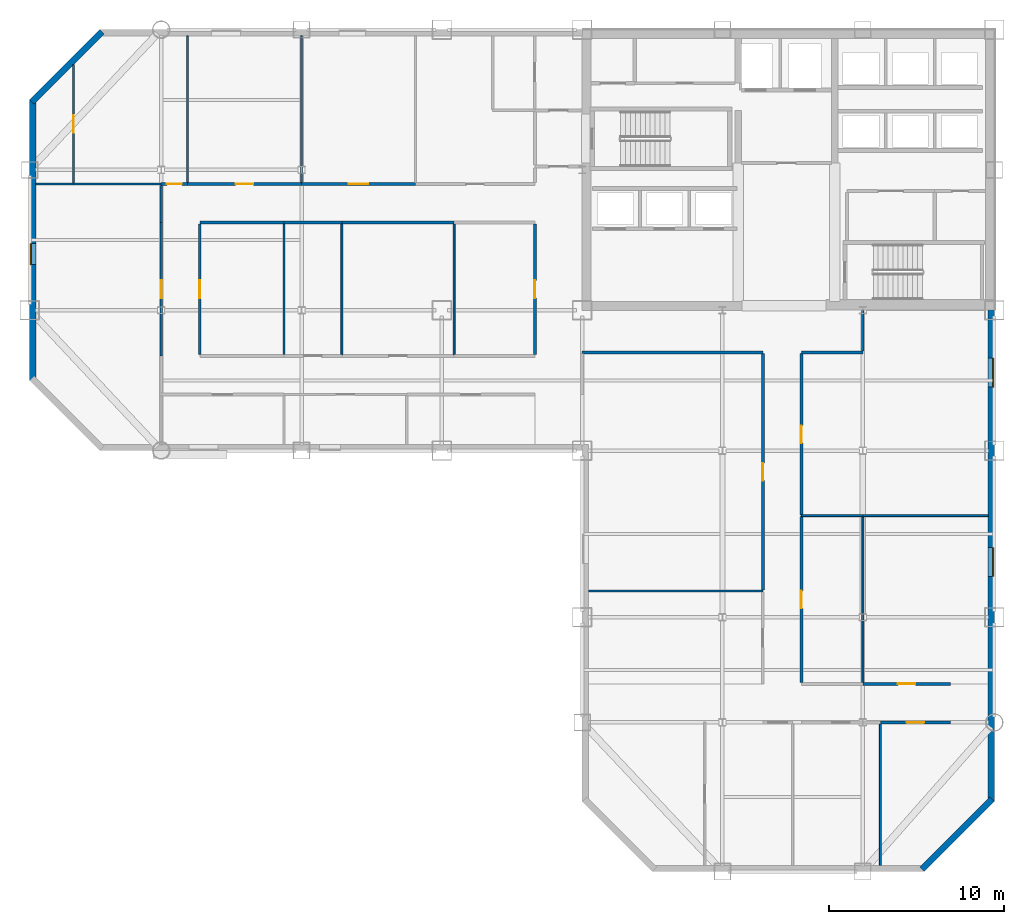
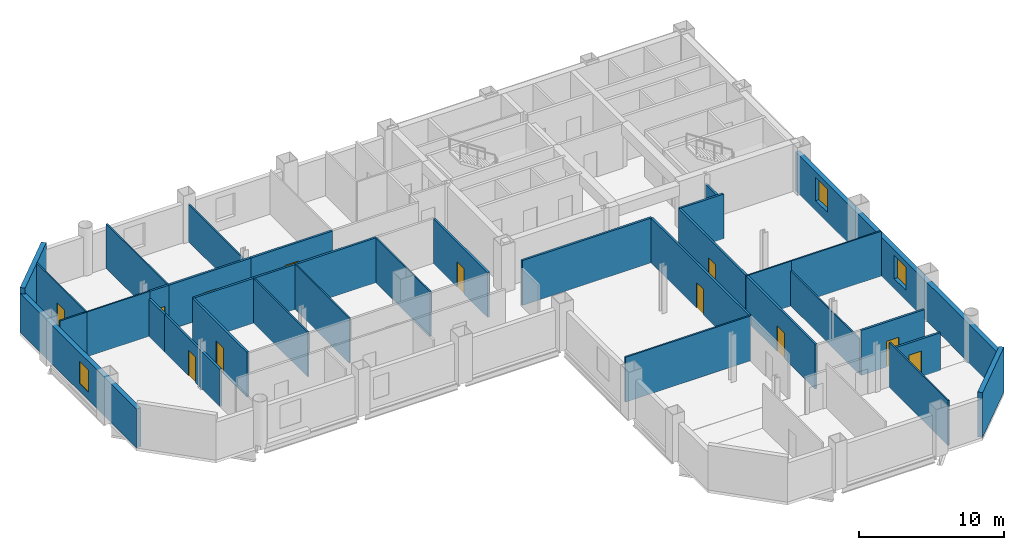
# One storey, part 6 of 10: 35 walls, 12 doors, 3 windows, 15 openings.
"""IFC4 building model written with IfcOpenShell, lengths in metres."""

from ifc_helpers import new_model, si_unit, direction, frame, frame_2d, origin, place, context, subcontext, project, spatial, rectangle, extrude, material, layer, layer_set, type_object, element, fill, save


model = new_model("IFC4")

# Units and contexts
model_context = context("Model", 3, precision=1e-05, world=origin(), true_north=direction((0.0, 1.0)))
body_context = subcontext(model_context, "Body", "Model", "MODEL_VIEW")
ifc_project = project(units=[si_unit("LENGTHUNIT", "METRE"), si_unit("AREAUNIT", "SQUARE_METRE"), si_unit("VOLUMEUNIT", "CUBIC_METRE"), si_unit("PLANEANGLEUNIT", "RADIAN"), si_unit("MASSUNIT", "GRAM", prefix="KILO")], contexts=[model_context])

# Site, building, storey
site_placement = place(None, origin())
site = spatial("IfcSite", under=ifc_project, at=site_placement, CompositionType="ELEMENT")
building_placement = place(site_placement, origin())
building = spatial("IfcBuilding", under=site, at=building_placement, Name="Qianrong Seaharbour Tower", CompositionType="ELEMENT")
storey_placement = place(building_placement, frame((0.0, 0.0, 179.0)))
storey = spatial("IfcBuildingStorey", under=building, at=storey_placement, Name="L43", CompositionType="ELEMENT", Elevation=179.0)

# Wall, opening, door
ifc_material_1 = material(Name="Fire-rated acoustic gypsum board partition")
ifc_layer_1 = layer(ifc_material_1, 0.1650390625)
ifc_layer_set_1 = layer_set([ifc_layer_1], Name="Fire-rated acoustic gypsum board partition")
wall_type_1 = type_object("IfcWallType", Name="WALL-CORR-PART-165", PredefinedType="PARTITIONING", material=ifc_layer_set_1)
wall_1_placement = place(storey_placement, frame((16.5, 43.199951171875, 0.0), z_axis=(0.0, 0.0, 1.0), x_axis=(1.0, 0.0, 0.0)))
wall_1 = element("IfcWall", 1, at=wall_1_placement, inside=storey, type_object=wall_type_1, Name="L43 Interior Partition Wall 023", PredefinedType="PARTITIONING", context=body_context, shape_type="SweptSolid", body=[
    extrude(rectangle(XDim=1.5, YDim=0.1650390625, at=frame_2d((0.75, 0.0))), origin(), (0.0, 0.0, 1.0), 3.764892578125),
])
opening_1_placement = place(wall_1_placement, frame((0.320068359375, 0.0, 0.0)))
opening_1 = element("IfcOpeningElement", 2, at=opening_1_placement, cuts=wall_1, Name="Opening DU-01", PredefinedType="OPENING", context=body_context, shape_type="SweptSolid", body=[
    extrude(rectangle(XDim=0.860107421875, YDim=2.10009765625, at=frame_2d((0.43017578125, 1.050048828125))), frame((0.0, 0.092529296875, 0.0), z_axis=(0.0, -1.0, 0.0), x_axis=(1.0, 0.0, 0.0)), (0.0, 0.0, 1.0), 0.18505859375),
])
ifc_material_2 = material(Name="Acoustic timber and galvanized steel fire door assembly", Category="steel")
door_type_1 = type_object("IfcDoorType", Name="DOOR-UTIL-860x2100", OperationType="NOTDEFINED", PredefinedType="DOOR", material=ifc_material_2)
door_1_placement = place(opening_1_placement, origin())
door_1 = element("IfcDoor", 3, at=door_1_placement, inside=storey, type_object=door_type_1, Name="L43 Navigation Systems Showroom 2 Door", OperationType="SINGLE_SWING_LEFT", OverallHeight=2.10009765625, OverallWidth=0.860107421875, PredefinedType="DOOR", context=body_context, shape_type="SweptSolid", body=[
    extrude(rectangle(XDim=0.860107421875, YDim=2.10009765625, at=frame_2d((0.43017578125, 1.050048828125))), frame((0.0, 0.02490234375, 0.0), z_axis=(0.0, -1.0, 0.0), x_axis=(1.0, 0.0, 0.0)), (0.0, 0.0, 1.0), 0.050048828125),
])
fill(opening_1, door_1)

wall_2_placement = place(storey_placement, frame((18.0, 43.199951171875, 0.0), z_axis=(0.0, 0.0, 1.0), x_axis=(1.0, 0.0, 0.0)))
wall_2 = element("IfcWall", 4, at=wall_2_placement, inside=storey, type_object=wall_type_1, Name="L43 Interior Partition Wall 024", PredefinedType="PARTITIONING", context=body_context, shape_type="SweptSolid", body=[
    extrude(rectangle(XDim=6.5, YDim=0.1650390625, at=frame_2d((3.25, 0.0))), origin(), (0.0, 0.0, 1.0), 3.764892578125),
])
opening_2_placement = place(wall_2_placement, frame((2.75, 0.0, 0.0)))
opening_2 = element("IfcOpeningElement", 5, at=opening_2_placement, cuts=wall_2, Name="Opening DO-01", PredefinedType="OPENING", context=body_context, shape_type="SweptSolid", body=[
    extrude(rectangle(XDim=1.0, YDim=2.14990234375, at=frame_2d((0.5, 1.074951171875))), frame((0.0, 0.092529296875, 0.0), z_axis=(0.0, -1.0, 0.0), x_axis=(1.0, 0.0, 0.0)), (0.0, 0.0, 1.0), 0.18505859375),
])
door_type_2 = type_object("IfcDoorType", Name="DOOR-OFFICE-1000x2150", OperationType="NOTDEFINED", PredefinedType="DOOR", material=ifc_material_2)
door_2_placement = place(opening_2_placement, origin())
door_2 = element("IfcDoor", 6, at=door_2_placement, inside=storey, type_object=door_type_2, Name="L43 Marine Propulsion Showroom 3 Door", OperationType="SINGLE_SWING_RIGHT", OverallHeight=2.14990234375, OverallWidth=1.0, PredefinedType="DOOR", context=body_context, shape_type="SweptSolid", body=[
    extrude(rectangle(XDim=1.0, YDim=2.14990234375, at=frame_2d((0.5, 1.074951171875))), frame((0.0, 0.02490234375, 0.0), z_axis=(0.0, -1.0, 0.0), x_axis=(1.0, 0.0, 0.0)), (0.0, 0.0, 1.0), 0.050048828125),
])
fill(opening_2, door_2)

wall_3_placement = place(storey_placement, frame((24.5, 43.199951171875, 0.0), z_axis=(0.0, 0.0, 1.0), x_axis=(1.0, 0.0, 0.0)))
wall_3 = element("IfcWall", 7, at=wall_3_placement, inside=storey, type_object=wall_type_1, Name="L43 Interior Partition Wall 025", PredefinedType="PARTITIONING", context=body_context, shape_type="SweptSolid", body=[
    extrude(rectangle(XDim=6.5, YDim=0.1650390625, at=frame_2d((3.25, 0.0))), origin(), (0.0, 0.0, 1.0), 3.764892578125),
])
opening_3_placement = place(wall_3_placement, frame((2.699951171875, 0.0, 0.0)))
opening_3 = element("IfcOpeningElement", 8, at=opening_3_placement, cuts=wall_3, Name="Opening DM-01", PredefinedType="OPENING", context=body_context, shape_type="SweptSolid", body=[
    extrude(rectangle(XDim=1.10009765625, YDim=2.199951171875, at=frame_2d((0.550048828125, 1.10009765625))), frame((0.0, 0.092529296875, 0.0), z_axis=(0.0, -1.0, 0.0), x_axis=(1.0, 0.0, 0.0)), (0.0, 0.0, 1.0), 0.18505859375),
])
door_type_3 = type_object("IfcDoorType", Name="DOOR-MEET-1100x2200", OperationType="NOTDEFINED", PredefinedType="DOOR", material=ifc_material_2)
door_3_placement = place(opening_3_placement, origin())
door_3 = element("IfcDoor", 9, at=door_3_placement, inside=storey, type_object=door_type_3, Name="L43 Contract Meeting Room 4 Door", OperationType="SINGLE_SWING_LEFT", OverallHeight=2.199951171875, OverallWidth=1.10009765625, PredefinedType="DOOR", context=body_context, shape_type="SweptSolid", body=[
    extrude(rectangle(XDim=1.10009765625, YDim=2.199951171875, at=frame_2d((0.550048828125, 1.10009765625))), frame((0.0, 0.02490234375, 0.0), z_axis=(0.0, -1.0, 0.0), x_axis=(1.0, 0.0, 0.0)), (0.0, 0.0, 1.0), 0.050048828125),
])
fill(opening_3, door_3)

# Walls
wall_4_placement = place(storey_placement, frame((23.5, 41.0, 0.0), z_axis=(0.0, 0.0, 1.0), x_axis=(-1.0, 0.0, 0.0)))
element("IfcWall", 10, at=wall_4_placement, inside=storey, type_object=wall_type_1, Name="L43 Interior Partition Wall 027", PredefinedType="PARTITIONING", context=body_context, shape_type="SweptSolid", body=[
    extrude(rectangle(XDim=4.800048828125, YDim=0.1650390625, at=frame_2d((2.39990234375, 0.0))), origin(), (0.0, 0.0, 1.0), 3.764892578125),
])
wall_5_placement = place(storey_placement, frame((26.800048828125, 41.0, 0.0), z_axis=(0.0, 0.0, 1.0), x_axis=(-1.0, 0.0, 0.0)))
element("IfcWall", 11, at=wall_5_placement, inside=storey, type_object=wall_type_1, Name="L43 Interior Partition Wall 028", PredefinedType="PARTITIONING", context=body_context, shape_type="SweptSolid", body=[
    extrude(rectangle(XDim=3.300048828125, YDim=0.1650390625, at=frame_2d((1.64990234375, 0.0))), origin(), (0.0, 0.0, 1.0), 3.764892578125),
])
wall_6_placement = place(storey_placement, frame((33.199951171875, 41.0, 0.0), z_axis=(0.0, 0.0, 1.0), x_axis=(-1.0, 0.0, 0.0)))
element("IfcWall", 12, at=wall_6_placement, inside=storey, type_object=wall_type_1, Name="L43 Interior Partition Wall 029", PredefinedType="PARTITIONING", context=body_context, shape_type="SweptSolid", body=[
    extrude(rectangle(XDim=6.39990234375, YDim=0.1650390625, at=frame_2d((3.199951171875, 0.0))), origin(), (0.0, 0.0, 1.0), 3.764892578125),
])
wall_7_placement = place(storey_placement, frame((16.5, 41.0, 0.0), z_axis=(0.0, 0.0, 1.0), x_axis=(0.0, 1.0, 0.0)))
element("IfcWall", 13, at=wall_7_placement, inside=storey, type_object=wall_type_1, Name="L43 Interior Partition Wall 031", PredefinedType="PARTITIONING", context=body_context, shape_type="SweptSolid", body=[
    extrude(rectangle(XDim=2.12548828125, YDim=0.1650390625, at=frame_2d((1.062744140625, 0.0))), origin(), (0.0, 0.0, 1.0), 3.156982421875),
])

# Wall, opening, door
wall_8_placement = place(storey_placement, frame((18.699951171875, 40.925537109375, 0.0), z_axis=(0.0, 0.0, 1.0), x_axis=(0.0, -1.0, 0.0)))
wall_8 = element("IfcWall", 14, at=wall_8_placement, inside=storey, type_object=wall_type_1, Name="L43 Interior Partition Wall 032", PredefinedType="PARTITIONING", context=body_context, shape_type="SweptSolid", body=[
    extrude(rectangle(XDim=7.450927734375, YDim=0.1650390625, at=frame_2d((3.7255859375, 0.0))), origin(), (0.0, 0.0, 1.0), 3.764892578125),
])
opening_4_placement = place(wall_8_placement, frame((3.2255859375, 0.0, 0.0)))
opening_4 = element("IfcOpeningElement", 15, at=opening_4_placement, cuts=wall_8, Name="Opening DO-01", PredefinedType="OPENING", context=body_context, shape_type="SweptSolid", body=[
    extrude(rectangle(XDim=1.0, YDim=2.14990234375, at=frame_2d((0.5, 1.074951171875))), frame((0.0, 0.092529296875, 0.0), z_axis=(0.0, -1.0, 0.0), x_axis=(1.0, 0.0, 0.0)), (0.0, 0.0, 1.0), 0.18505859375),
])
door_4_placement = place(opening_4_placement, origin())
door_4 = element("IfcDoor", 16, at=door_4_placement, inside=storey, type_object=door_type_2, Name="L43 Maritime Artifact Showroom 1 Door", OperationType="SINGLE_SWING_LEFT", OverallHeight=2.14990234375, OverallWidth=1.0, PredefinedType="DOOR", context=body_context, shape_type="SweptSolid", body=[
    extrude(rectangle(XDim=1.0, YDim=2.14990234375, at=frame_2d((0.5, 1.074951171875))), frame((0.0, 0.02490234375, 0.0), z_axis=(0.0, -1.0, 0.0), x_axis=(1.0, 0.0, 0.0)), (0.0, 0.0, 1.0), 0.050048828125),
])
fill(opening_4, door_4)

wall_9_placement = place(storey_placement, frame((16.5, 33.39990234375, 0.0), z_axis=(0.0, 0.0, 1.0), x_axis=(0.0, 1.0, 0.0)))
wall_9 = element("IfcWall", 17, at=wall_9_placement, inside=storey, type_object=wall_type_1, Name="L43 Interior Partition Wall 033", PredefinedType="PARTITIONING", context=body_context, shape_type="SweptSolid", body=[
    extrude(rectangle(XDim=7.60009765625, YDim=0.1650390625, at=frame_2d((3.800048828125, 0.0))), origin(), (0.0, 0.0, 1.0), 3.156982421875),
])
opening_5_placement = place(wall_9_placement, frame((3.300048828125, 0.0, 0.0)))
opening_5 = element("IfcOpeningElement", 18, at=opening_5_placement, cuts=wall_9, Name="Opening DO-01", PredefinedType="OPENING", context=body_context, shape_type="SweptSolid", body=[
    extrude(rectangle(XDim=1.0, YDim=2.14990234375, at=frame_2d((0.5, 1.074951171875))), frame((0.0, 0.092529296875, 0.0), z_axis=(0.0, -1.0, 0.0), x_axis=(1.0, 0.0, 0.0)), (0.0, 0.0, 1.0), 0.18505859375),
])
door_5_placement = place(opening_5_placement, origin())
door_5 = element("IfcDoor", 19, at=door_5_placement, inside=storey, type_object=door_type_2, Name="L43 Flagship Fleet Exhibition Showroom Door", OperationType="SINGLE_SWING_LEFT", OverallHeight=2.14990234375, OverallWidth=1.0, PredefinedType="DOOR", context=body_context, shape_type="SweptSolid", body=[
    extrude(rectangle(XDim=1.0, YDim=2.14990234375, at=frame_2d((0.5, 1.074951171875))), frame((0.0, 0.02490234375, 0.0), z_axis=(0.0, -1.0, 0.0), x_axis=(1.0, 0.0, 0.0)), (0.0, 0.0, 1.0), 0.050048828125),
])
fill(opening_5, door_5)

wall_10_placement = place(storey_placement, frame((37.800048828125, 33.474609375, 0.0), z_axis=(0.0, 0.0, 1.0), x_axis=(0.0, 1.0, 0.0)))
wall_10 = element("IfcWall", 20, at=wall_10_placement, inside=storey, type_object=wall_type_1, Name="L43 Interior Partition Wall 035", PredefinedType="PARTITIONING", context=body_context, shape_type="SweptSolid", body=[
    extrude(rectangle(XDim=7.450927734375, YDim=0.1650390625, at=frame_2d((3.7255859375, 0.0))), origin(), (0.0, 0.0, 1.0), 3.764892578125),
])
opening_6_placement = place(wall_10_placement, frame((3.2255859375, 0.0, 0.0)))
opening_6 = element("IfcOpeningElement", 21, at=opening_6_placement, cuts=wall_10, Name="Opening DO-01", PredefinedType="OPENING", context=body_context, shape_type="SweptSolid", body=[
    extrude(rectangle(XDim=1.0, YDim=2.14990234375, at=frame_2d((0.5, 1.074951171875))), frame((0.0, 0.092529296875, 0.0), z_axis=(0.0, -1.0, 0.0), x_axis=(1.0, 0.0, 0.0)), (0.0, 0.0, 1.0), 0.18505859375),
])
door_6_placement = place(opening_6_placement, origin())
door_6 = element("IfcDoor", 22, at=door_6_placement, inside=storey, type_object=door_type_2, Name="L43 Maritime Artifact Showroom 4 Door", OperationType="SINGLE_SWING_RIGHT", OverallHeight=2.14990234375, OverallWidth=1.0, PredefinedType="DOOR", context=body_context, shape_type="SweptSolid", body=[
    extrude(rectangle(XDim=1.0, YDim=2.14990234375, at=frame_2d((0.5, 1.074951171875))), frame((0.0, 0.02490234375, 0.0), z_axis=(0.0, -1.0, 0.0), x_axis=(1.0, 0.0, 0.0)), (0.0, 0.0, 1.0), 0.050048828125),
])
fill(opening_6, door_6)

# Walls
wall_11_placement = place(storey_placement, frame((56.5, 36.0, 0.0), z_axis=(0.0, 0.0, 1.0), x_axis=(0.0, -1.0, 0.0)))
element("IfcWall", 23, at=wall_11_placement, inside=storey, type_object=wall_type_1, Name="L43 Interior Partition Wall 037", PredefinedType="PARTITIONING", context=body_context, shape_type="SweptSolid", body=[
    extrude(rectangle(XDim=2.325439453125, YDim=0.1650390625, at=frame_2d((1.16259765625, 0.0))), origin(), (0.0, 0.0, 1.0), 3.156982421875),
])
wall_12_placement = place(storey_placement, frame((56.5, 33.60009765625, 0.0), z_axis=(0.0, 0.0, 1.0), x_axis=(-1.0, 0.0, 0.0)))
element("IfcWall", 24, at=wall_12_placement, inside=storey, type_object=wall_type_1, Name="L43 Interior Partition Wall 038", PredefinedType="PARTITIONING", context=body_context, shape_type="SweptSolid", body=[
    extrude(rectangle(XDim=3.5, YDim=0.1650390625, at=frame_2d((1.75, 0.0))), origin(), (0.0, 0.0, 1.0), 3.764892578125),
])
wall_13_placement = place(storey_placement, frame((50.800048828125, 33.60009765625, 0.0), z_axis=(0.0, 0.0, 1.0), x_axis=(-1.0, 0.0, 0.0)))
element("IfcWall", 25, at=wall_13_placement, inside=storey, type_object=wall_type_1, Name="L43 Interior Partition Wall 039", PredefinedType="PARTITIONING", context=body_context, shape_type="SweptSolid", body=[
    extrude(rectangle(XDim=10.300048828125, YDim=0.1650390625, at=frame_2d((5.14990234375, 0.0))), origin(), (0.0, 0.0, 1.0), 3.764892578125),
])

# Wall, opening, door
wall_14_placement = place(storey_placement, frame((53.0, 33.525390625, 0.0), z_axis=(0.0, 0.0, 1.0), x_axis=(0.0, -1.0, 0.0)))
wall_14 = element("IfcWall", 26, at=wall_14_placement, inside=storey, type_object=wall_type_1, Name="L43 Interior Partition Wall 040", PredefinedType="PARTITIONING", context=body_context, shape_type="SweptSolid", body=[
    extrude(rectangle(XDim=9.1884765625, YDim=0.1650390625, at=frame_2d((4.59423828125, 0.0))), origin(), (0.0, 0.0, 1.0), 3.764892578125),
])
opening_7_placement = place(wall_14_placement, frame((4.09423828125, 0.0, 0.0)))
opening_7 = element("IfcOpeningElement", 27, at=opening_7_placement, cuts=wall_14, Name="Opening DO-01", PredefinedType="OPENING", context=body_context, shape_type="SweptSolid", body=[
    extrude(rectangle(XDim=1.0, YDim=2.14990234375, at=frame_2d((0.5, 1.074951171875))), frame((0.0, 0.092529296875, 0.0), z_axis=(0.0, -1.0, 0.0), x_axis=(1.0, 0.0, 0.0)), (0.0, 0.0, 1.0), 0.18505859375),
])
door_7_placement = place(opening_7_placement, origin())
door_7 = element("IfcDoor", 28, at=door_7_placement, inside=storey, type_object=door_type_2, Name="L43 Commercial Desk Open-Plan Office Door", OperationType="SINGLE_SWING_LEFT", OverallHeight=2.14990234375, OverallWidth=1.0, PredefinedType="DOOR", context=body_context, shape_type="SweptSolid", body=[
    extrude(rectangle(XDim=1.0, YDim=2.14990234375, at=frame_2d((0.5, 1.074951171875))), frame((0.0, 0.02490234375, 0.0), z_axis=(0.0, -1.0, 0.0), x_axis=(1.0, 0.0, 0.0)), (0.0, 0.0, 1.0), 0.050048828125),
])
fill(opening_7, door_7)

wall_15_placement = place(storey_placement, frame((53.0, 24.242919921875, 0.0), z_axis=(0.0, 0.0, 1.0), x_axis=(0.0, -1.0, 0.0)))
wall_15 = element("IfcWall", 29, at=wall_15_placement, inside=storey, type_object=wall_type_1, Name="L43 Interior Partition Wall 041", PredefinedType="PARTITIONING", context=body_context, shape_type="SweptSolid", body=[
    extrude(rectangle(XDim=9.468505859375, YDim=0.1650390625, at=frame_2d((4.734375, 0.0))), origin(), (0.0, 0.0, 1.0), 3.764892578125),
])
opening_8_placement = place(wall_15_placement, frame((4.234375, 0.0, 0.0)))
opening_8 = element("IfcOpeningElement", 30, at=opening_8_placement, cuts=wall_15, Name="Opening DO-01", PredefinedType="OPENING", context=body_context, shape_type="SweptSolid", body=[
    extrude(rectangle(XDim=1.0, YDim=2.14990234375, at=frame_2d((0.5, 1.074951171875))), frame((0.0, 0.092529296875, 0.0), z_axis=(0.0, -1.0, 0.0), x_axis=(1.0, 0.0, 0.0)), (0.0, 0.0, 1.0), 0.18505859375),
])
door_8_placement = place(opening_8_placement, origin())
door_8 = element("IfcDoor", 31, at=door_8_placement, inside=storey, type_object=door_type_2, Name="L43 Chartering Model Showroom 1 Door", OperationType="SINGLE_SWING_RIGHT", OverallHeight=2.14990234375, OverallWidth=1.0, PredefinedType="DOOR", context=body_context, shape_type="SweptSolid", body=[
    extrude(rectangle(XDim=1.0, YDim=2.14990234375, at=frame_2d((0.5, 1.074951171875))), frame((0.0, 0.02490234375, 0.0), z_axis=(0.0, -1.0, 0.0), x_axis=(1.0, 0.0, 0.0)), (0.0, 0.0, 1.0), 0.050048828125),
])
fill(opening_8, door_8)

wall_16_placement = place(storey_placement, frame((50.800048828125, 20.056884765625, 0.0), z_axis=(0.0, 0.0, 1.0), x_axis=(0.0, 1.0, 0.0)))
wall_16 = element("IfcWall", 32, at=wall_16_placement, inside=storey, type_object=wall_type_1, Name="L43 Interior Partition Wall 043", PredefinedType="PARTITIONING", context=body_context, shape_type="SweptSolid", body=[
    extrude(rectangle(XDim=13.468505859375, YDim=0.1650390625, at=frame_2d((6.734375, 0.0))), origin(), (0.0, 0.0, 1.0), 3.764892578125),
])
opening_9_placement = place(wall_16_placement, frame((6.234375, 0.0, 0.0)))
opening_9 = element("IfcOpeningElement", 33, at=opening_9_placement, cuts=wall_16, Name="Opening DO-01", PredefinedType="OPENING", context=body_context, shape_type="SweptSolid", body=[
    extrude(rectangle(XDim=1.0, YDim=2.14990234375, at=frame_2d((0.5, 1.074951171875))), frame((0.0, 0.092529296875, 0.0), z_axis=(0.0, -1.0, 0.0), x_axis=(1.0, 0.0, 0.0)), (0.0, 0.0, 1.0), 0.18505859375),
])
door_9_placement = place(opening_9_placement, origin())
door_9 = element("IfcDoor", 34, at=door_9_placement, inside=storey, type_object=door_type_2, Name="L43 Maritime Fleet Gallery 2 Door", OperationType="SINGLE_SWING_RIGHT", OverallHeight=2.14990234375, OverallWidth=1.0, PredefinedType="DOOR", context=body_context, shape_type="SweptSolid", body=[
    extrude(rectangle(XDim=1.0, YDim=2.14990234375, at=frame_2d((0.5, 1.074951171875))), frame((0.0, 0.02490234375, 0.0), z_axis=(0.0, -1.0, 0.0), x_axis=(1.0, 0.0, 0.0)), (0.0, 0.0, 1.0), 0.050048828125),
])
fill(opening_9, door_9)

wall_17_placement = place(storey_placement, frame((56.5, 14.699951171875, 0.0), z_axis=(0.0, 0.0, 1.0), x_axis=(1.0, 0.0, 0.0)))
wall_17 = element("IfcWall", 35, at=wall_17_placement, inside=storey, type_object=wall_type_1, Name="L43 Interior Partition Wall 046", PredefinedType="PARTITIONING", context=body_context, shape_type="SweptSolid", body=[
    extrude(rectangle(XDim=5.0, YDim=0.1650390625, at=frame_2d((2.5, 0.0))), origin(), (0.0, 0.0, 1.0), 3.764892578125),
])
opening_10_placement = place(wall_17_placement, frame((2.0, 0.0, 0.0)))
opening_10 = element("IfcOpeningElement", 36, at=opening_10_placement, cuts=wall_17, Name="Opening DO-01", PredefinedType="OPENING", context=body_context, shape_type="SweptSolid", body=[
    extrude(rectangle(XDim=1.0, YDim=2.14990234375, at=frame_2d((0.5, 1.074951171875))), frame((0.0, 0.092529296875, 0.0), z_axis=(0.0, -1.0, 0.0), x_axis=(1.0, 0.0, 0.0)), (0.0, 0.0, 1.0), 0.18505859375),
])
door_10_placement = place(opening_10_placement, origin())
door_10 = element("IfcDoor", 37, at=door_10_placement, inside=storey, type_object=door_type_2, Name="L43 Port Equipment Showroom 2 Door", OperationType="SINGLE_SWING_LEFT", OverallHeight=2.14990234375, OverallWidth=1.0, PredefinedType="DOOR", context=body_context, shape_type="SweptSolid", body=[
    extrude(rectangle(XDim=1.0, YDim=2.14990234375, at=frame_2d((0.5, 1.074951171875))), frame((0.0, 0.02490234375, 0.0), z_axis=(0.0, -1.0, 0.0), x_axis=(1.0, 0.0, 0.0)), (0.0, 0.0, 1.0), 0.050048828125),
])
fill(opening_10, door_10)

wall_18_placement = place(storey_placement, frame((61.5, 12.5, 0.0), z_axis=(0.0, 0.0, 1.0), x_axis=(-1.0, 0.0, 0.0)))
wall_18 = element("IfcWall", 38, at=wall_18_placement, inside=storey, type_object=wall_type_1, Name="L43 Interior Partition Wall 048", PredefinedType="PARTITIONING", context=body_context, shape_type="SweptSolid", body=[
    extrude(rectangle(XDim=4.0, YDim=0.1650390625, at=frame_2d((2.0, 0.0))), origin(), (0.0, 0.0, 1.0), 3.156982421875),
])
opening_11_placement = place(wall_18_placement, frame((1.5, 0.0, 0.0)))
opening_11 = element("IfcOpeningElement", 39, at=opening_11_placement, cuts=wall_18, Name="Opening DO-01", PredefinedType="OPENING", context=body_context, shape_type="SweptSolid", body=[
    extrude(rectangle(XDim=1.0, YDim=2.14990234375, at=frame_2d((0.5, 1.074951171875))), frame((0.0, 0.092529296875, 0.0), z_axis=(0.0, -1.0, 0.0), x_axis=(1.0, 0.0, 0.0)), (0.0, 0.0, 1.0), 0.18505859375),
])
door_11_placement = place(opening_11_placement, origin())
door_11 = element("IfcDoor", 40, at=door_11_placement, inside=storey, type_object=door_type_2, Name="L43 Brokerage Office 4 Door", OperationType="SINGLE_SWING_RIGHT", OverallHeight=2.14990234375, OverallWidth=1.0, PredefinedType="DOOR", context=body_context, shape_type="SweptSolid", body=[
    extrude(rectangle(XDim=1.0, YDim=2.14990234375, at=frame_2d((0.5, 1.074951171875))), frame((0.0, 0.02490234375, 0.0), z_axis=(0.0, -1.0, 0.0), x_axis=(1.0, 0.0, 0.0)), (0.0, 0.0, 1.0), 0.050048828125),
])
fill(opening_11, door_11)

# Walls
ifc_material_3 = material(Name="Demountable aluminium-framed acoustic office partition", Category="aluminium")
ifc_layer_2 = layer(ifc_material_3, 0.110107421875)
ifc_layer_set_2 = layer_set([ifc_layer_2], Name="Demountable aluminium-framed acoustic office partition")
wall_type_2 = type_object("IfcWallType", Name="WALL-DEMOUNT-110", PredefinedType="MOVABLE", material=ifc_layer_set_2)
wall_19_placement = place(storey_placement, frame((56.5, 24.2900390625, 0.0), z_axis=(0.0, 0.0, 1.0), x_axis=(-1.0, 0.0, 0.0)))
element("IfcWall", 41, at=wall_19_placement, inside=storey, type_object=wall_type_2, Name="L43 Interior Partition Wall 049", PredefinedType="MOVABLE", context=body_context, shape_type="SweptSolid", body=[
    extrude(rectangle(XDim=3.5, YDim=0.110107421875, at=frame_2d((1.75, 0.0))), origin(), (0.0, 0.0, 1.0), 3.764892578125),
])
wall_20_placement = place(storey_placement, frame((63.64794921875, 24.2900390625, 0.0), z_axis=(0.0, 0.0, 1.0), x_axis=(-1.0, 0.0, 0.0)))
element("IfcWall", 42, at=wall_20_placement, inside=storey, type_object=wall_type_2, Name="L43 Interior Partition Wall 050", PredefinedType="MOVABLE", context=body_context, shape_type="SweptSolid", body=[
    extrude(rectangle(XDim=7.14794921875, YDim=0.110107421875, at=frame_2d((3.573974609375, 0.0))), origin(), (0.0, 0.0, 1.0), 3.764892578125),
])
wall_21_placement = place(storey_placement, frame((56.5, 24.242919921875, 0.0), z_axis=(0.0, 0.0, 1.0), x_axis=(0.0, -1.0, 0.0)))
element("IfcWall", 43, at=wall_21_placement, inside=storey, type_object=wall_type_2, Name="L43 Interior Partition Wall 051", PredefinedType="MOVABLE", context=body_context, shape_type="SweptSolid", body=[
    extrude(rectangle(XDim=9.468505859375, YDim=0.110107421875, at=frame_2d((4.734375, 0.0))), origin(), (0.0, 0.0, 1.0), 2.95703125),
])

# Wall, opening, door
wall_22_placement = place(storey_placement, frame((11.5, 50.002197265625, 0.0), z_axis=(0.0, 0.0, 1.0), x_axis=(0.0, -1.0, 0.0)))
wall_22 = element("IfcWall", 44, at=wall_22_placement, inside=storey, type_object=wall_type_2, Name="L43 Interior Partition Wall 052", PredefinedType="MOVABLE", context=body_context, shape_type="SweptSolid", body=[
    extrude(rectangle(XDim=6.755126953125, YDim=0.110107421875, at=frame_2d((3.37744140625, 0.0))), origin(), (0.0, 0.0, 1.0), 3.764892578125),
])
opening_12_placement = place(wall_22_placement, frame((2.877685546875, 0.0, 0.0)))
opening_12 = element("IfcOpeningElement", 45, at=opening_12_placement, cuts=wall_22, Name="Opening DO-01", PredefinedType="OPENING", context=body_context, shape_type="SweptSolid", body=[
    extrude(rectangle(XDim=1.0, YDim=2.14990234375, at=frame_2d((0.5, 1.074951171875))), frame((0.0, 0.06494140625, 0.0), z_axis=(0.0, -1.0, 0.0), x_axis=(1.0, 0.0, 0.0)), (0.0, 0.0, 1.0), 0.130126953125),
])
door_12_placement = place(opening_12_placement, origin())
door_12 = element("IfcDoor", 46, at=door_12_placement, inside=storey, type_object=door_type_2, Name="L43 Vessel Model Showroom 1 Door", OperationType="SINGLE_SWING_RIGHT", OverallHeight=2.14990234375, OverallWidth=1.0, PredefinedType="DOOR", context=body_context, shape_type="SweptSolid", body=[
    extrude(rectangle(XDim=1.0, YDim=2.14990234375, at=frame_2d((0.5, 1.074951171875))), frame((0.0, 0.02490234375, 0.0), z_axis=(0.0, -1.0, 0.0), x_axis=(1.0, 0.0, 0.0)), (0.0, 0.0, 1.0), 0.050048828125),
])
fill(opening_12, door_12)

# Walls
wall_23_placement = place(storey_placement, frame((11.5, 43.199951171875, 0.0), z_axis=(0.0, 0.0, 1.0), x_axis=(-1.0, 0.0, 0.0)))
element("IfcWall", 47, at=wall_23_placement, inside=storey, type_object=wall_type_2, Name="L43 Interior Partition Wall 053", PredefinedType="MOVABLE", context=body_context, shape_type="SweptSolid", body=[
    extrude(rectangle(XDim=2.14794921875, YDim=0.110107421875, at=frame_2d((1.073974609375, 0.0))), origin(), (0.0, 0.0, 1.0), 3.764892578125),
])
wall_24_placement = place(storey_placement, frame((18.0, 51.64794921875, 0.0), z_axis=(0.0, 0.0, 1.0), x_axis=(0.0, -1.0, 0.0)))
element("IfcWall", 48, at=wall_24_placement, inside=storey, type_object=wall_type_2, Name="L43 Interior Partition Wall 054", PredefinedType="MOVABLE", context=body_context, shape_type="SweptSolid", body=[
    extrude(rectangle(XDim=8.37353515625, YDim=0.110107421875, at=frame_2d((4.186767578125, 0.0))), origin(), (0.0, 0.0, 1.0), 3.764892578125),
])
wall_25_placement = place(storey_placement, frame((16.5, 43.199951171875, 0.0), z_axis=(0.0, 0.0, 1.0), x_axis=(-1.0, 0.0, 0.0)))
element("IfcWall", 49, at=wall_25_placement, inside=storey, type_object=wall_type_2, Name="L43 Interior Partition Wall 055", PredefinedType="MOVABLE", context=body_context, shape_type="SweptSolid", body=[
    extrude(rectangle(XDim=5.0, YDim=0.110107421875, at=frame_2d((2.5, 0.0))), origin(), (0.0, 0.0, 1.0), 3.764892578125),
])
wall_26_placement = place(storey_placement, frame((24.5, 51.64794921875, 0.0), z_axis=(0.0, 0.0, 1.0), x_axis=(0.0, -1.0, 0.0)))
element("IfcWall", 50, at=wall_26_placement, inside=storey, type_object=wall_type_2, Name="L43 Interior Partition Wall 056", PredefinedType="MOVABLE", context=body_context, shape_type="SweptSolid", body=[
    extrude(rectangle(XDim=8.37353515625, YDim=0.110107421875, at=frame_2d((4.186767578125, 0.0))), origin(), (0.0, 0.0, 1.0), 3.156982421875),
])
for number, where, z_axis, x_axis, name in (
    (51, (23.5, 40.925537109375, 0.0), (0.0, 0.0, 1.0), (0.0, -1.0, 0.0), "L43 Interior Partition Wall 058"),
    (52, (26.800048828125, 40.925537109375, 0.0), (0.0, 0.0, 1.0), (0.0, -1.0, 0.0), "L43 Interior Partition Wall 059"),
    (53, (33.199951171875, 40.925537109375, 0.0), (0.0, 0.0, 1.0), (0.0, -1.0, 0.0), "L43 Interior Partition Wall 060"),
):
    element("IfcWall", number, at=place(storey_placement, frame(where, z_axis=z_axis, x_axis=x_axis)), inside=storey, type_object=wall_type_2, Name=name, PredefinedType="MOVABLE", context=body_context, shape_type="SweptSolid", body=[
        extrude(rectangle(XDim=7.450927734375, YDim=0.110107421875, at=frame_2d((3.7255859375, 0.0))), origin(), (0.0, 0.0, 1.0), 3.764892578125),
    ])
wall_27_placement = place(storey_placement, frame((57.5, 12.425537109375, 0.0), z_axis=(0.0, 0.0, 1.0), x_axis=(0.0, -1.0, 0.0)))
element("IfcWall", 54, at=wall_27_placement, inside=storey, type_object=wall_type_2, Name="L43 Interior Partition Wall 067", PredefinedType="MOVABLE", context=body_context, shape_type="SweptSolid", body=[
    extrude(rectangle(XDim=8.073486328125, YDim=0.110107421875, at=frame_2d((4.03662109375, 0.0))), origin(), (0.0, 0.0, 1.0), 3.764892578125),
])

# Wall, opening, window
ifc_material_4 = material(Name="Unitised red brick on Precast concrete C45/55", Category="masonry")
ifc_layer_3 = layer(ifc_material_4, 0.360107421875)
ifc_layer_set_3 = layer_set([ifc_layer_3], Name="Unitised red brick on Precast concrete C45/55")
wall_type_3 = type_object("IfcWallType", Name="WALL-EXT-BRICK-RED-360", PredefinedType="SOLIDWALL", material=ifc_layer_set_3)
wall_28_placement = place(storey_placement, frame((9.179931640625, 32.0, 0.0), z_axis=(0.0, 0.0, 1.0), x_axis=(0.0, 1.0, 0.0)))
wall_28 = element("IfcWall", 55, at=wall_28_placement, inside=storey, type_object=wall_type_3, Name="L43 Exterior Masonry Facade Wall WEST_TIP", PredefinedType="SOLIDWALL", context=body_context, shape_type="SweptSolid", body=[
    extrude(rectangle(XDim=16.0, YDim=0.360107421875, at=frame_2d((8.0, 0.0))), origin(), (0.0, 0.0, 1.0), 3.264892578125),
])
opening_13_placement = place(wall_28_placement, frame((6.60009765625, 0.0, 0.699951171875)))
opening_13 = element("IfcOpeningElement", 56, at=opening_13_placement, cuts=wall_28, Name="Opening WN-01", PredefinedType="OPENING", context=body_context, shape_type="SweptSolid", body=[
    extrude(rectangle(XDim=1.199951171875, YDim=1.85009765625, at=frame_2d((0.60009765625, 0.925048828125))), frame((0.0, 0.18994140625, 0.0), z_axis=(0.0, -1.0, 0.0), x_axis=(1.0, 0.0, 0.0)), (0.0, 0.0, 1.0), 0.380126953125),
])
ifc_material_5 = material(Name="Insulated low-e double glazing in thermally broken aluminium 6063-T6 frame", Category="aluminium")
window_type_1 = type_object("IfcWindowType", Name="WIN-PUNCH-1200x1850", PartitioningType="DOUBLE_PANEL_VERTICAL", PredefinedType="WINDOW", material=ifc_material_5)
window_1_placement = place(opening_13_placement, origin())
window_1 = element("IfcWindow", 57, at=window_1_placement, inside=storey, type_object=window_type_1, Name="L43 Deep-Set Punched Window 03.02", OverallHeight=1.85009765625, OverallWidth=1.199951171875, PartitioningType="DOUBLE_PANEL_VERTICAL", PredefinedType="WINDOW", context=body_context, shape_type="SweptSolid", body=[
    extrude(rectangle(XDim=1.199951171875, YDim=1.85009765625, at=frame_2d((0.60009765625, 0.925048828125))), frame((0.0, 0.150146484375, 0.0), z_axis=(0.0, -1.0, 0.0), x_axis=(1.0, 0.0, 0.0)), (0.0, 0.0, 1.0), 0.06005859375),
])
fill(opening_13, window_1)

# Wall
wall_29_placement = place(storey_placement, frame((9.127197265625, 47.872802734375, 0.0), z_axis=(0.0, 0.0, 1.0), x_axis=(0.707106781187, 0.707106781187, 0.0)))
element("IfcWall", 58, at=wall_29_placement, inside=storey, type_object=wall_type_3, Name="L43 Exterior Masonry Facade Wall E04", PredefinedType="SOLIDWALL", context=body_context, shape_type="SweptSolid", body=[
    extrude(rectangle(XDim=5.65673828125, YDim=0.360107421875, at=frame_2d((2.828369140625, 0.0))), origin(), (0.0, 0.0, 1.0), 3.764892578125),
])

# Wall, openings, windows
wall_30_placement = place(storey_placement, frame((63.820068359375, 36.050048828125, 0.0), z_axis=(0.0, 0.0, 1.0), x_axis=(0.0, -1.0, 0.0)))
wall_30 = element("IfcWall", 59, at=wall_30_placement, inside=storey, type_object=wall_type_3, Name="L43 Exterior Masonry Facade Wall EAST_WING", PredefinedType="SOLIDWALL", context=body_context, shape_type="SweptSolid", body=[
    extrude(rectangle(XDim=28.050048828125, YDim=0.360107421875, at=frame_2d((14.02490234375, 0.0))), origin(), (0.0, 0.0, 1.0), 3.264892578125),
])
opening_14_placement = place(wall_30_placement, frame((2.77490234375, 0.0, 0.85009765625)))
opening_14 = element("IfcOpeningElement", 60, at=opening_14_placement, cuts=wall_30, Name="Opening WN-04", PredefinedType="OPENING", context=body_context, shape_type="SweptSolid", body=[
    extrude(rectangle(XDim=1.64990234375, YDim=1.949951171875, at=frame_2d((0.824951171875, 0.97509765625))), frame((0.0, 0.18994140625, 0.0), z_axis=(0.0, -1.0, 0.0), x_axis=(1.0, 0.0, 0.0)), (0.0, 0.0, 1.0), 0.380126953125),
])
opening_15_placement = place(wall_30_placement, frame((13.574951171875, 0.0, 0.85009765625)))
opening_15 = element("IfcOpeningElement", 61, at=opening_15_placement, cuts=wall_30, Name="Opening WN-04", PredefinedType="OPENING", context=body_context, shape_type="SweptSolid", body=[
    extrude(rectangle(XDim=1.64990234375, YDim=1.949951171875, at=frame_2d((0.824951171875, 0.97509765625))), frame((0.0, 0.18994140625, 0.0), z_axis=(0.0, -1.0, 0.0), x_axis=(1.0, 0.0, 0.0)), (0.0, 0.0, 1.0), 0.380126953125),
])
window_type_2 = type_object("IfcWindowType", Name="WIN-PUNCH-1650x1950", PartitioningType="DOUBLE_PANEL_VERTICAL", PredefinedType="WINDOW", material=ifc_material_5)
window_2_placement = place(opening_14_placement, origin())
window_2 = element("IfcWindow", 62, at=window_2_placement, inside=storey, type_object=window_type_2, Name="L43 Deep-Set Punched Window 06.01", OverallHeight=1.949951171875, OverallWidth=1.64990234375, PartitioningType="DOUBLE_PANEL_VERTICAL", PredefinedType="WINDOW", context=body_context, shape_type="SweptSolid", body=[
    extrude(rectangle(XDim=1.64990234375, YDim=1.949951171875, at=frame_2d((0.824951171875, 0.97509765625))), frame((0.0, 0.150146484375, 0.0), z_axis=(0.0, -1.0, 0.0), x_axis=(1.0, 0.0, 0.0)), (0.0, 0.0, 1.0), 0.06005859375),
])
fill(opening_14, window_2)
window_3_placement = place(opening_15_placement, origin())
window_3 = element("IfcWindow", 63, at=window_3_placement, inside=storey, type_object=window_type_2, Name="L43 Deep-Set Punched Window 06.04", OverallHeight=1.949951171875, OverallWidth=1.64990234375, PartitioningType="DOUBLE_PANEL_VERTICAL", PredefinedType="WINDOW", context=body_context, shape_type="SweptSolid", body=[
    extrude(rectangle(XDim=1.64990234375, YDim=1.949951171875, at=frame_2d((0.824951171875, 0.97509765625))), frame((0.0, 0.150146484375, 0.0), z_axis=(0.0, -1.0, 0.0), x_axis=(1.0, 0.0, 0.0)), (0.0, 0.0, 1.0), 0.06005859375),
])
fill(opening_15, window_3)

# Walls
wall_31_placement = place(storey_placement, frame((63.872802734375, 8.127197265625, 0.0), z_axis=(0.0, 0.0, 1.0), x_axis=(-0.707106781187, -0.707106781187, 0.0)))
element("IfcWall", 64, at=wall_31_placement, inside=storey, type_object=wall_type_3, Name="L43 Exterior Masonry Facade Wall E07", PredefinedType="SOLIDWALL", context=body_context, shape_type="SweptSolid", body=[
    extrude(rectangle(XDim=5.65673828125, YDim=0.360107421875, at=frame_2d((2.828369140625, 0.0))), origin(), (0.0, 0.0, 1.0), 3.764892578125),
])
ifc_material_6 = material(Name="Water-resistant cement board sanitary partition")
ifc_layer_4 = layer(ifc_material_6, 0.1298828125)
ifc_layer_set_4 = layer_set([ifc_layer_4], Name="Water-resistant cement board sanitary partition")
wall_type_4 = type_object("IfcWallType", Name="WALL-WET-PART-130", PredefinedType="PARTITIONING", material=ifc_layer_set_4)
wall_32_placement = place(storey_placement, frame((40.85205078125, 20.0, 0.0), z_axis=(0.0, 0.0, 1.0), x_axis=(1.0, 0.0, 0.0)))
element("IfcWall", 65, at=wall_32_placement, inside=storey, type_object=wall_type_4, Name="L43 Interior Partition Wall 064", PredefinedType="PARTITIONING", context=body_context, shape_type="SweptSolid", body=[
    extrude(rectangle(XDim=9.947998046875, YDim=0.1298828125, at=frame_2d((4.97412109375, 0.0))), origin(), (0.0, 0.0, 1.0), 3.764892578125),
])

save(model, "model.ifc")
